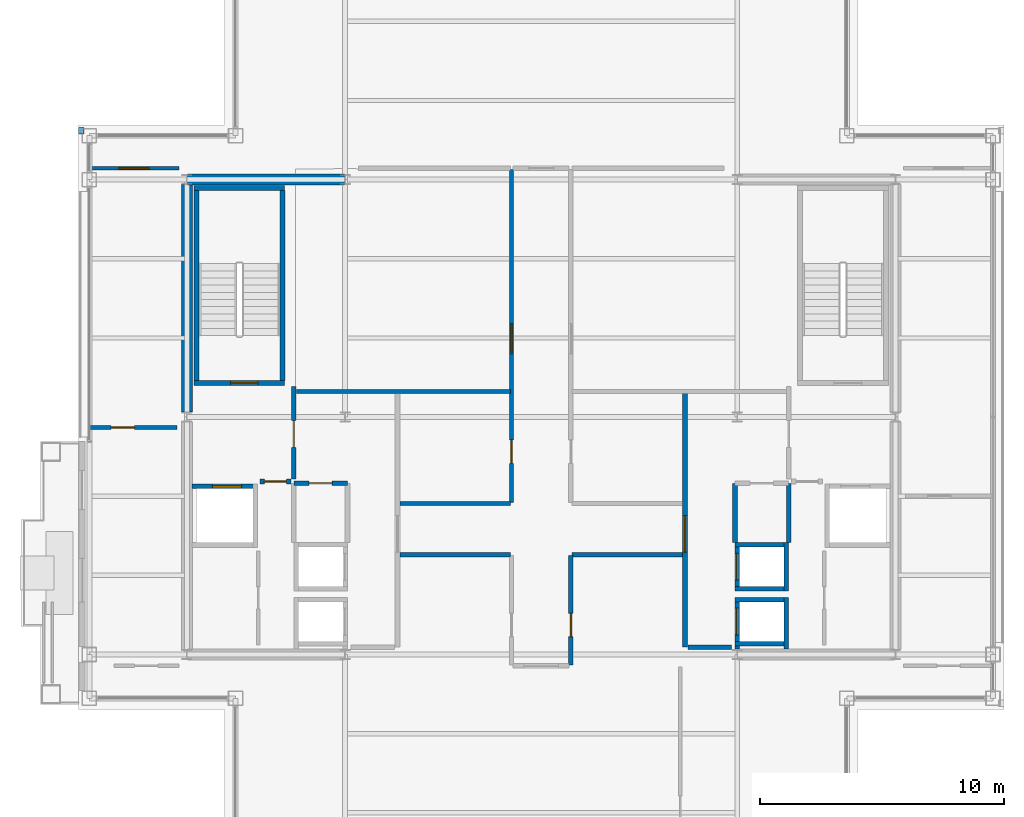
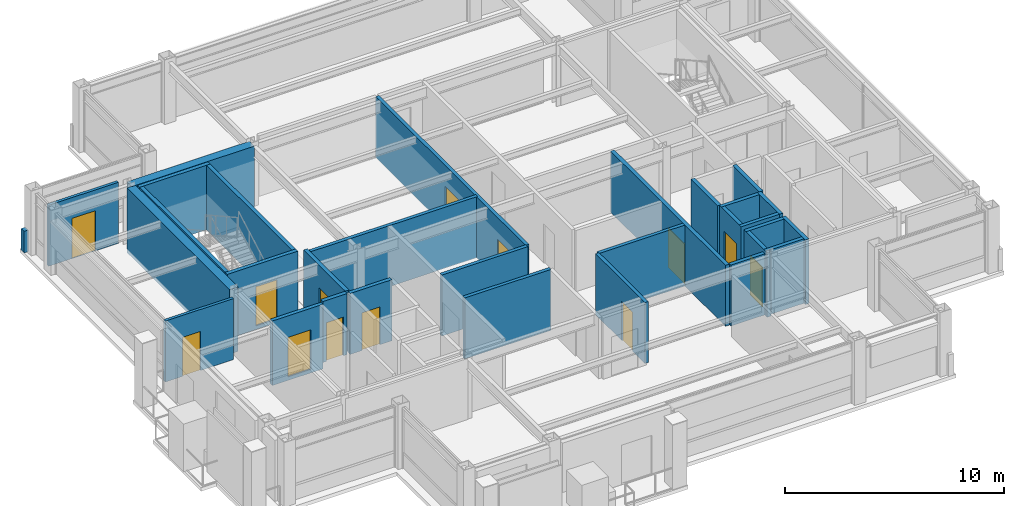
# One storey, part 23 of 27: 31 walls, 13 doors, 13 openings.
"""IFC4 building model written with IfcOpenShell, lengths in metres."""

import ifcopenshell
import ifcopenshell.guid

model = None  # the IFC model being written
_history = None  # IfcOwnerHistory: only IFC2X3 demands one
_inside = {}  # id of a spatial element -> (the spatial element, [elements in it])
_under = {}  # id of a project, library or spatial element -> (it, [spatial elements below it])
_declared = {}  # id of a project -> (the project, [libraries it declares])
_typed = {}  # id of a type object -> (the type object, [elements of that type])
_made_of = {}  # id of a material, layer set ... -> (it, [elements and type objects made of it])


def new_model(schema):
    """Start an empty IFC model of exactly this schema.

    Asked for "IFC4X3", IfcOpenShell would pick the latest addendum, in which some entities
    have other attributes; the version numbers below select the first issue.
    IFC2X3 requires an IfcOwnerHistory on every rooted entity: one is made here for all.
    """
    global model, _history
    if schema == "IFC4X3":
        model = ifcopenshell.file(schema_version=(4, 3, 0, 0))
    else:
        model = ifcopenshell.file(schema=schema)
    _inside.clear()
    _under.clear()
    _declared.clear()
    _typed.clear()
    _made_of.clear()
    _history = None
    if model.schema == "IFC2X3":
        org = make("IfcOrganization", Name="unknown")
        user = make(
            "IfcPersonAndOrganization",
            ThePerson=make("IfcPerson", FamilyName="unknown"),
            TheOrganization=org,
        )
        app = make(
            "IfcApplication",
            ApplicationDeveloper=org,
            Version="unknown",
            ApplicationFullName="unknown",
            ApplicationIdentifier="unknown",
        )
        _history = make(
            "IfcOwnerHistory",
            OwningUser=user,
            OwningApplication=app,
            ChangeAction="ADDED",
            CreationDate=0,
        )
    return model


def make(cls, **values):
    """One entity of the class cls with the attributes given. An attribute that is None is left unset."""
    return model.create_entity(
        cls, **{name: value for name, value in values.items() if value is not None}
    )


def rooted(cls, **values):
    """An entity with a GlobalId (a new one), such as an element, a storey or a relation."""
    return make(cls, GlobalId=ifcopenshell.guid.new(), OwnerHistory=_history, **values)


def si_unit(unit_type, name, prefix=None):
    """IfcSIUnit, for example si_unit("LENGTHUNIT", "METRE", prefix="MILLI")."""
    return make("IfcSIUnit", UnitType=unit_type, Prefix=prefix, Name=name)


def assignment(units):
    """IfcUnitAssignment: the units of a project."""
    return None if units is None else make("IfcUnitAssignment", Units=units)


def point(xyz):
    """IfcCartesianPoint."""
    return None if xyz is None else make("IfcCartesianPoint", Coordinates=xyz)


def direction(xyz):
    """IfcDirection."""
    return None if xyz is None else make("IfcDirection", DirectionRatios=xyz)


def frame(location, z_axis=None, x_axis=None):
    """IfcAxis2Placement3D, a coordinate frame: its origin and axes. An axis left out is left unset."""
    return make(
        "IfcAxis2Placement3D",
        Location=point(location),
        Axis=direction(z_axis),
        RefDirection=direction(x_axis),
    )


def frame_2d(location, x_axis=None):
    """IfcAxis2Placement2D, a coordinate frame in the plane: its origin and x axis."""
    return make(
        "IfcAxis2Placement2D", Location=point(location), RefDirection=direction(x_axis)
    )


def origin():
    """The frame at (0, 0, 0) with its axes left unset."""
    return frame((0.0, 0.0, 0.0))


def place(relative_to, where):
    """IfcLocalPlacement: puts the frame where relative to a parent placement (None: the world)."""
    return make(
        "IfcLocalPlacement", PlacementRelTo=relative_to, RelativePlacement=where
    )


def context(
    kind, dimensions, precision=None, world=None, true_north=None, identifier=None
):
    """IfcGeometricRepresentationContext, for example the 3D "Model" context."""
    return make(
        "IfcGeometricRepresentationContext",
        ContextIdentifier=identifier,
        ContextType=kind,
        CoordinateSpaceDimension=dimensions,
        Precision=precision,
        WorldCoordinateSystem=world,
        TrueNorth=true_north,
    )


def subcontext(parent, identifier, kind, view, scale=None):
    """IfcGeometricRepresentationSubContext, for example "Body" below "Model"."""
    return make(
        "IfcGeometricRepresentationSubContext",
        ContextIdentifier=identifier,
        ContextType=kind,
        ParentContext=parent,
        TargetScale=scale,
        TargetView=view,
    )


def project(units=None, contexts=None):
    """IfcProject with its units and contexts."""
    return rooted(
        "IfcProject",
        Name="project",
        RepresentationContexts=contexts,
        UnitsInContext=assignment(units),
    )


def spatial(cls, under=None, at=None, **own):
    """A site, building, storey or space (cls), placed at a placement, below another one or the project."""
    s = rooted(cls, ObjectPlacement=at, **own)
    if under is not None:
        _under.setdefault(under.id(), (under, []))[1].append(s)
    return s


def profile(cls, at=None, kind="AREA", **sizes):
    """A parametric profile (cls). Its sizes go by their IFC names, for example OverallWidth=200.0."""
    return make(cls, ProfileType=kind, Position=at, **sizes)


def rectangle(**sizes):
    """IfcRectangleProfileDef."""
    return profile("IfcRectangleProfileDef", **sizes)


def extrude(swept, where, along, depth):
    """IfcExtrudedAreaSolid: the profile swept, set in the frame where, extruded along a direction by depth."""
    return make(
        "IfcExtrudedAreaSolid",
        SweptArea=swept,
        Position=where,
        ExtrudedDirection=direction(along),
        Depth=depth,
    )


def shape(context_of_items, identifier, shape_type, items):
    """IfcShapeRepresentation: the items that make up one representation, for example the "Body"."""
    return make(
        "IfcShapeRepresentation",
        ContextOfItems=context_of_items,
        RepresentationIdentifier=identifier,
        RepresentationType=shape_type,
        Items=items,
    )


def material(Name=None, Category=None):
    """IfcMaterial."""
    return make("IfcMaterial", Name=Name, Category=Category)


def layer(
    of_material, thickness, ventilated=None, Name=None, Category=None, Priority=None
):
    """IfcMaterialLayer: one layer of a wall or slab, of a material (None: an air gap)."""
    return make(
        "IfcMaterialLayer",
        Material=of_material,
        LayerThickness=thickness,
        IsVentilated=ventilated,
        Name=Name,
        Category=Category,
        Priority=Priority,
    )


def layer_set(layers, Name=None):
    """IfcMaterialLayerSet."""
    return make("IfcMaterialLayerSet", MaterialLayers=layers, LayerSetName=Name)


def made_of(thing, what):
    """Note that an element or type object is made of a material, layer set ...; save() writes the relation."""
    if what is not None:
        _made_of.setdefault(what.id(), (what, []))[1].append(thing)
    return thing


def type_object(cls, material=None, **own):
    """A type object (cls), such as IfcWallType, which elements share."""
    return made_of(rooted(cls, **own), material)


def element(
    cls,
    number,
    at=None,
    inside=None,
    cuts=None,
    type_object=None,
    material=None,
    context=None,
    identifier="Body",
    shape_type=None,
    held_by="IfcProductDefinitionShape",
    body=None,
    shapes=None,
    **own,
):
    """One element of the class cls, such as IfcWall. Its Tag is "e" and its number.

    at: its placement. inside: the storey or other place that contains it. cuts: it is an
    opening in that element (IfcRelVoidsElement). A single representation is given by context,
    identifier, shape_type and body (its items); several are given by shapes. held_by: the class
    of the entity that holds the representations. save() writes the other relations.
    """
    e = rooted(cls, Tag="e%d" % number, ObjectPlacement=at, **own)
    if body is not None:
        shapes = [shape(context, identifier, shape_type, body)]
    if shapes is not None:
        e.Representation = make(held_by, Representations=shapes)
    if inside is not None:
        _inside.setdefault(inside.id(), (inside, []))[1].append(e)
    if cuts is not None:
        rooted(
            "IfcRelVoidsElement", RelatingBuildingElement=cuts, RelatedOpeningElement=e
        )
    if type_object is not None:
        _typed.setdefault(type_object.id(), (type_object, []))[1].append(e)
    return made_of(e, material)


def fill(opening, filler):
    """IfcRelFillsElement: the door or window that sits in an opening."""
    return rooted(
        "IfcRelFillsElement",
        RelatingOpeningElement=opening,
        RelatedBuildingElement=filler,
    )


def aggregate(whole, parts):
    """IfcRelAggregates: a whole, such as a stair, and the parts it consists of."""
    return rooted("IfcRelAggregates", RelatingObject=whole, RelatedObjects=parts)


def save(model, path):
    """Write the relations noted so far, then the file.

    IfcRelAggregates (storeys below a building ...), IfcRelContainedInSpatialStructure (elements
    in a storey), IfcRelDefinesByType, IfcRelAssociatesMaterial and IfcRelDeclares: one each for
    every whole, place, type object, material and project.
    """
    for whole, parts in _under.values():
        aggregate(whole, parts)
    for where, things in _inside.values():
        rooted(
            "IfcRelContainedInSpatialStructure",
            RelatedElements=things,
            RelatingStructure=where,
        )
    for kind, things in _typed.values():
        rooted("IfcRelDefinesByType", RelatedObjects=things, RelatingType=kind)
    for what, things in _made_of.values():
        rooted("IfcRelAssociatesMaterial", RelatedObjects=things, RelatingMaterial=what)
    for by, libraries in _declared.values():
        rooted("IfcRelDeclares", RelatingContext=by, RelatedDefinitions=libraries)
    model.write(path)


model = new_model("IFC4")

# Units and contexts
model_context = context("Model", 3, precision=1e-05, world=origin(), true_north=direction((0.0, 1.0)))
body_context = subcontext(model_context, "Body", "Model", "MODEL_VIEW")
ifc_project = project(units=[si_unit("LENGTHUNIT", "METRE"), si_unit("AREAUNIT", "SQUARE_METRE"), si_unit("VOLUMEUNIT", "CUBIC_METRE"), si_unit("PLANEANGLEUNIT", "RADIAN"), si_unit("MASSUNIT", "GRAM", prefix="KILO")], contexts=[model_context])

# Site, building, storey
site_placement = place(None, origin())
site = spatial("IfcSite", under=ifc_project, at=site_placement, CompositionType="ELEMENT")
building_placement = place(site_placement, origin())
building = spatial("IfcBuilding", under=site, at=building_placement, Name="Brelmoor Portico Tower", CompositionType="ELEMENT")
storey_placement = place(building_placement, frame((0.0, 0.0, 250.800048828125)))
storey = spatial("IfcBuildingStorey", under=building, at=storey_placement, Name="L66", CompositionType="ELEMENT", Elevation=250.800048828125)

# Walls
ifc_material_1 = material(Name="Concrete C50", Category="concrete")
ifc_layer_1 = layer(ifc_material_1, 0.449951171875)
ifc_layer_set_1 = layer_set([ifc_layer_1], Name="Concrete C50")
wall_type_1 = type_object("IfcWallType", Name="WL-CORE-450", PredefinedType="SHEAR", material=ifc_layer_set_1)
wall_1_placement = place(storey_placement, frame((-14.530029296875, 9.75, -0.199951171875), z_axis=(0.0, 0.0, 1.0), x_axis=(1.0, 0.0, 0.0)))
element("IfcWall", 1, at=wall_1_placement, inside=storey, type_object=wall_type_1, Name="L66 WC North Shear Wall", PredefinedType="SHEAR", context=body_context, shape_type="SweptSolid", body=[
    extrude(rectangle(XDim=6.4599609375, YDim=0.449951171875, at=frame_2d((3.22998046875, 0.0))), origin(), (0.0, 0.0, 1.0), 3.599853515625),
])
wall_2_placement = place(storey_placement, frame((-14.550048828125, 0.199951171875, -0.199951171875), z_axis=(0.0, 0.0, 1.0), x_axis=(0.0, 1.0, 0.0)))
element("IfcWall", 2, at=wall_2_placement, inside=storey, type_object=wall_type_1, Name="L66 WC Outer North Shear Wall", PredefinedType="SHEAR", context=body_context, shape_type="SweptSolid", body=[
    extrude(rectangle(XDim=9.35009765625, YDim=0.449951171875, at=frame_2d((4.675048828125, 0.0))), origin(), (0.0, 0.0, 1.0), 3.599853515625),
])
ifc_material_2 = material(Name="Concrete C40 Parapet Upstand", Category="concrete")
ifc_layer_2 = layer(ifc_material_2, 0.219970703125)
ifc_layer_set_2 = layer_set([ifc_layer_2], Name="Concrete C40 Parapet Upstand")
wall_type_2 = type_object("IfcWallType", Name="WL-PARAPET-220", PredefinedType="PARAPET", material=ifc_layer_set_2)
wall_3_placement = place(storey_placement, frame((-18.889892578125, 11.6201171875, 0.0), z_axis=(0.0, 0.0, 1.0), x_axis=(0.0, 1.0, 0.0)))
element("IfcWall", 3, at=wall_3_placement, inside=storey, type_object=wall_type_2, Name="L66 Chamfer Vertex Parapet Pier NW2", PredefinedType="PARAPET", context=body_context, shape_type="SweptSolid", body=[
    extrude(rectangle(XDim=0.269775390625, YDim=0.219970703125, at=frame_2d((0.134765625, 0.0))), origin(), (0.0, 0.0, 1.0), 1.199951171875),
])

# Wall, opening, door
ifc_material_3 = material(Name="Wet-Area Moisture-Resistant Partition", Category="gypsum")
ifc_layer_3 = layer(ifc_material_3, 0.14990234375)
ifc_layer_set_3 = layer_set([ifc_layer_3], Name="Wet-Area Moisture-Resistant Partition")
wall_type_3 = type_object("IfcWallType", Name="WL-PART-150", PredefinedType="PARTITIONING", material=ifc_layer_set_3)
wall_4_placement = place(storey_placement, frame((-18.56005859375, 10.2099609375, 0.0), z_axis=(0.0, 0.0, 1.0), x_axis=(1.0, 0.0, 0.0)))
wall_4 = element("IfcWall", 4, at=wall_4_placement, inside=storey, type_object=wall_type_3, Name="L66 North Wing Suite Wall WL", PredefinedType="PARTITIONING", context=body_context, shape_type="SweptSolid", body=[
    extrude(rectangle(XDim=3.68017578125, YDim=0.14990234375, at=frame_2d((1.840087890625, 0.0))), origin(), (0.0, 0.0, 1.0), 3.39990234375),
])
opening_1_placement = place(wall_4_placement, frame((1.219970703125, 0.0, 0.0)))
opening_1 = element("IfcOpeningElement", 5, at=opening_1_placement, cuts=wall_4, Name="Opening D-SU1", PredefinedType="OPENING", context=body_context, shape_type="SweptSolid", body=[
    extrude(rectangle(XDim=1.239990234375, YDim=2.239990234375, at=frame_2d((0.6201171875, 1.1201171875))), frame((0.0, 0.0849609375, 0.0), z_axis=(0.0, -1.0, 0.0), x_axis=(1.0, 0.0, 0.0)), (0.0, 0.0, 1.0), 0.169921875),
])
ifc_material_4 = material(Name="Glazed Timber Executive Suite Door", Category="wood")
door_type_1 = type_object("IfcDoorType", Name="DR-SUITE-1200", OperationType="NOTDEFINED", PredefinedType="DOOR", material=ifc_material_4)
door_1_placement = place(opening_1_placement, origin())
door_1 = element("IfcDoor", 6, at=door_1_placement, inside=storey, type_object=door_type_1, Name="D-2729 L66 WL Wing Suite Connecting Door", OperationType="SINGLE_SWING_RIGHT", OverallHeight=2.239990234375, OverallWidth=1.239990234375, PredefinedType="DOOR", context=body_context, shape_type="SweptSolid", body=[
    extrude(rectangle(XDim=1.239990234375, YDim=2.239990234375, at=frame_2d((0.6201171875, 1.1201171875))), frame((0.0, 0.02490234375, 0.0), z_axis=(0.0, -1.0, 0.0), x_axis=(1.0, 0.0, 0.0)), (0.0, 0.0, 1.0), 0.050048828125),
])
fill(opening_1, door_1)

wall_5_placement = place(storey_placement, frame((-18.56005859375, -0.429931640625, 0.0), z_axis=(0.0, 0.0, 1.0), x_axis=(1.0, 0.0, 0.0)))
wall_5 = element("IfcWall", 7, at=wall_5_placement, inside=storey, type_object=wall_type_3, Name="L66 W Wing Partition 1", PredefinedType="PARTITIONING", context=body_context, shape_type="SweptSolid", body=[
    extrude(rectangle(XDim=3.60009765625, YDim=0.14990234375, at=frame_2d((1.800048828125, 0.0))), origin(), (0.0, 0.0, 1.0), 3.39990234375),
])
opening_2_placement = place(wall_5_placement, frame((0.89990234375, 0.0, 0.0)))
opening_2 = element("IfcOpeningElement", 8, at=opening_2_placement, cuts=wall_5, Name="Opening D-IN2", PredefinedType="OPENING", context=body_context, shape_type="SweptSolid", body=[
    extrude(rectangle(XDim=0.9599609375, YDim=2.179931640625, at=frame_2d((0.47998046875, 1.08984375))), frame((0.0, 0.0849609375, 0.0), z_axis=(0.0, -1.0, 0.0), x_axis=(1.0, 0.0, 0.0)), (0.0, 0.0, 1.0), 0.169921875),
])
ifc_material_5 = material(Name="Lacquered Timber Suite Door", Category="wood")
door_type_2 = type_object("IfcDoorType", Name="DR-INT-950", OperationType="NOTDEFINED", PredefinedType="DOOR", material=ifc_material_5)
door_2_placement = place(opening_2_placement, origin())
door_2 = element("IfcDoor", 9, at=door_2_placement, inside=storey, type_object=door_type_2, Name="D-2739 L66 W Wing Suite Connecting Door 1", OperationType="SINGLE_SWING_LEFT", OverallHeight=2.179931640625, OverallWidth=0.9599609375, PredefinedType="DOOR", context=body_context, shape_type="SweptSolid", body=[
    extrude(rectangle(XDim=0.9599609375, YDim=2.179931640625, at=frame_2d((0.47998046875, 1.08984375))), frame((0.0, 0.02490234375, 0.0), z_axis=(0.0, -1.0, 0.0), x_axis=(1.0, 0.0, 0.0)), (0.0, 0.0, 1.0), 0.050048828125),
])
fill(opening_2, door_2)

# Wall
ifc_material_6 = material(Name="Acoustic Corridor Fire Partition", Category="gypsum")
ifc_layer_4 = layer(ifc_material_6, 0.179931640625)
ifc_layer_set_4 = layer_set([ifc_layer_4], Name="Acoustic Corridor Fire Partition")
wall_type_4 = type_object("IfcWallType", Name="WL-PART-180", PredefinedType="PARTITIONING", material=ifc_layer_set_4)
wall_6_placement = place(storey_placement, frame((-10.050048828125, 1.050048828125, 0.0), z_axis=(0.0, 0.0, 1.0), x_axis=(1.0, 0.0, 0.0)))
element("IfcWall", 10, at=wall_6_placement, inside=storey, type_object=wall_type_4, Name="L66 West Reclaimed Suite South Wall", PredefinedType="PARTITIONING", context=body_context, shape_type="SweptSolid", body=[
    extrude(rectangle(XDim=8.7900390625, YDim=0.179931640625, at=frame_2d((4.39501953125, 0.0))), origin(), (0.0, 0.0, 1.0), 3.39990234375),
])

# Wall, openings, doors
wall_7_placement = place(storey_placement, frame((-1.219970703125, -3.5, 0.0), z_axis=(0.0, 0.0, 1.0), x_axis=(0.0, 1.0, 0.0)))
wall_7 = element("IfcWall", 11, at=wall_7_placement, inside=storey, type_object=wall_type_4, Name="L66 Central Cross West Wall", PredefinedType="PARTITIONING", context=body_context, shape_type="SweptSolid", body=[
    extrude(rectangle(XDim=13.669921875, YDim=0.179931640625, at=frame_2d((6.8349609375, 0.0))), origin(), (0.0, 0.0, 1.0), 3.39990234375),
])
opening_3_placement = place(wall_7_placement, frame((6.10009765625, 0.0, 0.0)))
opening_3 = element("IfcOpeningElement", 12, at=opening_3_placement, cuts=wall_7, Name="Opening D-SU1", PredefinedType="OPENING", context=body_context, shape_type="SweptSolid", body=[
    extrude(rectangle(XDim=1.239990234375, YDim=2.239990234375, at=frame_2d((0.6201171875, 1.1201171875))), frame((0.0, 0.099853515625, 0.0), z_axis=(0.0, -1.0, 0.0), x_axis=(1.0, 0.0, 0.0)), (0.0, 0.0, 1.0), 0.199951171875),
])
opening_4_placement = place(wall_7_placement, frame((1.60009765625, 0.0, 0.0)))
opening_4 = element("IfcOpeningElement", 13, at=opening_4_placement, cuts=wall_7, Name="Opening D-IN2", PredefinedType="OPENING", context=body_context, shape_type="SweptSolid", body=[
    extrude(rectangle(XDim=0.9599609375, YDim=2.179931640625, at=frame_2d((0.47998046875, 1.08984375))), frame((0.0, 0.099853515625, 0.0), z_axis=(0.0, -1.0, 0.0), x_axis=(1.0, 0.0, 0.0)), (0.0, 0.0, 1.0), 0.199951171875),
])
door_3_placement = place(opening_4_placement, origin())
door_3 = element("IfcDoor", 14, at=door_3_placement, inside=storey, type_object=door_type_2, Name="D-2715 L66 Staff Pantry Door", OperationType="SINGLE_SWING_RIGHT", OverallHeight=2.179931640625, OverallWidth=0.9599609375, PredefinedType="DOOR", context=body_context, shape_type="SweptSolid", body=[
    extrude(rectangle(XDim=0.9599609375, YDim=2.179931640625, at=frame_2d((0.47998046875, 1.08984375))), frame((0.0, 0.02490234375, 0.0), z_axis=(0.0, -1.0, 0.0), x_axis=(1.0, 0.0, 0.0)), (0.0, 0.0, 1.0), 0.050048828125),
])
fill(opening_4, door_3)
door_4_placement = place(opening_3_placement, origin())
door_4 = element("IfcDoor", 15, at=door_4_placement, inside=storey, type_object=door_type_1, Name="D-2716 L66 West Reclaimed Studio Door", OperationType="SINGLE_SWING_LEFT", OverallHeight=2.239990234375, OverallWidth=1.239990234375, PredefinedType="DOOR", context=body_context, shape_type="SweptSolid", body=[
    extrude(rectangle(XDim=1.239990234375, YDim=2.239990234375, at=frame_2d((0.6201171875, 1.1201171875))), frame((0.0, 0.02490234375, 0.0), z_axis=(0.0, -1.0, 0.0), x_axis=(1.0, 0.0, 0.0)), (0.0, 0.0, 1.0), 0.050048828125),
])
fill(opening_3, door_4)

# Wall
wall_8_placement = place(storey_placement, frame((-5.800048828125, -3.550048828125, 0.0), z_axis=(0.0, 0.0, 1.0), x_axis=(1.0, 0.0, 0.0)))
element("IfcWall", 16, at=wall_8_placement, inside=storey, type_object=wall_type_4, Name="L66 West Pantry South Wall", PredefinedType="PARTITIONING", context=body_context, shape_type="SweptSolid", body=[
    extrude(rectangle(XDim=4.5400390625, YDim=0.179931640625, at=frame_2d((2.27001953125, 0.0))), origin(), (0.0, 0.0, 1.0), 3.39990234375),
])

# Wall, opening, door
wall_9_placement = place(storey_placement, frame((1.219970703125, -10.169921875, 0.0), z_axis=(0.0, 0.0, 1.0), x_axis=(0.0, 1.0, 0.0)))
wall_9 = element("IfcWall", 17, at=wall_9_placement, inside=storey, type_object=wall_type_4, Name="L66 South Cross East Wall", PredefinedType="PARTITIONING", context=body_context, shape_type="SweptSolid", body=[
    extrude(rectangle(XDim=4.489990234375, YDim=0.179931640625, at=frame_2d((2.2451171875, 0.0))), origin(), (0.0, 0.0, 1.0), 3.39990234375),
])
opening_5_placement = place(wall_9_placement, frame((1.14990234375, 0.0, 0.0)))
opening_5 = element("IfcOpeningElement", 18, at=opening_5_placement, cuts=wall_9, Name="Opening D-IN2", PredefinedType="OPENING", context=body_context, shape_type="SweptSolid", body=[
    extrude(rectangle(XDim=0.9599609375, YDim=2.179931640625, at=frame_2d((0.47998046875, 1.08984375))), frame((0.0, 0.099853515625, 0.0), z_axis=(0.0, -1.0, 0.0), x_axis=(1.0, 0.0, 0.0)), (0.0, 0.0, 1.0), 0.199951171875),
])
door_5_placement = place(opening_5_placement, origin())
door_5 = element("IfcDoor", 19, at=door_5_placement, inside=storey, type_object=door_type_2, Name="D-2713 L66 South-East Partner Office Door", OperationType="SINGLE_SWING_RIGHT", OverallHeight=2.179931640625, OverallWidth=0.9599609375, PredefinedType="DOOR", context=body_context, shape_type="SweptSolid", body=[
    extrude(rectangle(XDim=0.9599609375, YDim=2.179931640625, at=frame_2d((0.47998046875, 1.08984375))), frame((0.0, 0.02490234375, 0.0), z_axis=(0.0, -1.0, 0.0), x_axis=(1.0, 0.0, 0.0)), (0.0, 0.0, 1.0), 0.050048828125),
])
fill(opening_5, door_5)

# Walls
for number, where, z_axis, x_axis, name in (
    (20, (-5.800048828125, -5.64990234375, 0.0), (0.0, 0.0, 1.0), (1.0, 0.0, 0.0), "L66 South-West Chamber Top Wall"),
    (21, (1.260009765625, -5.64990234375, 0.0), (0.0, 0.0, 1.0), (1.0, 0.0, 0.0), "L66 South-East Chamber Top Wall"),
):
    element("IfcWall", number, at=place(storey_placement, frame(where, z_axis=z_axis, x_axis=x_axis)), inside=storey, type_object=wall_type_4, Name=name, PredefinedType="PARTITIONING", context=body_context, shape_type="SweptSolid", body=[
        extrude(rectangle(XDim=4.5400390625, YDim=0.179931640625, at=frame_2d((2.27001953125, 0.0))), origin(), (0.0, 0.0, 1.0), 3.39990234375),
    ])

# Wall, opening, door
ifc_material_7 = material(Name="Double-Stud Gypsum Fire Partition", Category="gypsum")
ifc_layer_5 = layer(ifc_material_7, 0.199951171875)
ifc_layer_set_5 = layer_set([ifc_layer_5], Name="Double-Stud Gypsum Fire Partition")
wall_type_5 = type_object("IfcWallType", Name="WL-PART-200", PredefinedType="PARTITIONING", material=ifc_layer_set_5)
wall_10_placement = place(storey_placement, frame((-10.159912109375, -2.550048828125, 0.0), z_axis=(0.0, 0.0, 1.0), x_axis=(0.0, 1.0, 0.0)))
wall_10 = element("IfcWall", 22, at=wall_10_placement, inside=storey, type_object=wall_type_5, Name="L66 W Firefighting Lobby Wall", PredefinedType="PARTITIONING", context=body_context, shape_type="SweptSolid", body=[
    extrude(rectangle(XDim=3.800048828125, YDim=0.199951171875, at=frame_2d((1.89990234375, 0.0))), origin(), (0.0, 0.0, 1.0), 3.39990234375),
])
opening_6_placement = place(wall_10_placement, frame((1.300048828125, 0.0, 0.0)))
opening_6 = element("IfcOpeningElement", 23, at=opening_6_placement, cuts=wall_10, Name="Opening D-FR1", PredefinedType="OPENING", context=body_context, shape_type="SweptSolid", body=[
    extrude(rectangle(XDim=1.10009765625, YDim=2.14990234375, at=frame_2d((0.550048828125, 1.074951171875))), frame((0.0, 0.10986328125, 0.0), z_axis=(0.0, -1.0, 0.0), x_axis=(1.0, 0.0, 0.0)), (0.0, 0.0, 1.0), 0.219970703125),
])
ifc_material_8 = material(Name="Painted Galvanised Steel Fire Door", Category="steel")
door_type_3 = type_object("IfcDoorType", Name="DR-FIRE-1100", OperationType="NOTDEFINED", PredefinedType="DOOR", material=ifc_material_8)
door_6_placement = place(opening_6_placement, origin())
door_6 = element("IfcDoor", 24, at=door_6_placement, inside=storey, type_object=door_type_3, Name="D-2724 L66 W Firefighting Lobby Door", OperationType="SINGLE_SWING_LEFT", OverallHeight=2.14990234375, OverallWidth=1.10009765625, PredefinedType="DOOR", context=body_context, shape_type="SweptSolid", body=[
    extrude(rectangle(XDim=1.10009765625, YDim=2.14990234375, at=frame_2d((0.550048828125, 1.074951171875))), frame((0.0, 0.02490234375, 0.0), z_axis=(0.0, -1.0, 0.0), x_axis=(1.0, 0.0, 0.0)), (0.0, 0.0, 1.0), 0.050048828125),
])
fill(opening_6, door_6)

wall_11_placement = place(storey_placement, frame((-10.280029296875, -2.64990234375, 0.0), z_axis=(0.0, 0.0, 1.0), x_axis=(-1.0, 0.0, 0.0)))
wall_11 = element("IfcWall", 25, at=wall_11_placement, inside=storey, type_object=wall_type_5, Name="L66 W Firefighting Lobby South Wall", PredefinedType="PARTITIONING", context=body_context, shape_type="SweptSolid", body=[
    extrude(rectangle(XDim=1.27001953125, YDim=0.199951171875, at=frame_2d((0.635009765625, 0.0))), origin(), (0.0, 0.0, 1.0), 3.39990234375),
])
opening_7_placement = place(wall_11_placement, frame((0.18505859375, 0.0, 0.0)))
opening_7 = element("IfcOpeningElement", 26, at=opening_7_placement, cuts=wall_11, Name="Opening D-IN1", PredefinedType="OPENING", context=body_context, shape_type="SweptSolid", body=[
    extrude(rectangle(XDim=0.89990234375, YDim=2.14990234375, at=frame_2d((0.449951171875, 1.074951171875))), frame((0.0, 0.10986328125, 0.0), z_axis=(0.0, -1.0, 0.0), x_axis=(1.0, 0.0, 0.0)), (0.0, 0.0, 1.0), 0.219970703125),
])
door_type_4 = type_object("IfcDoorType", Name="DR-INT-900", OperationType="NOTDEFINED", PredefinedType="DOOR", material=ifc_material_5)
door_7_placement = place(opening_7_placement, origin())
door_7 = element("IfcDoor", 27, at=door_7_placement, inside=storey, type_object=door_type_4, Name="D-2719 L66 W Core Service Vestibule Door", OperationType="SINGLE_SWING_RIGHT", OverallHeight=2.14990234375, OverallWidth=0.89990234375, PredefinedType="DOOR", context=body_context, shape_type="SweptSolid", body=[
    extrude(rectangle(XDim=0.89990234375, YDim=2.14990234375, at=frame_2d((0.449951171875, 1.074951171875))), frame((0.0, 0.02490234375, 0.0), z_axis=(0.0, -1.0, 0.0), x_axis=(1.0, 0.0, 0.0)), (0.0, 0.0, 1.0), 0.050048828125),
])
fill(opening_7, door_7)

wall_12_placement = place(storey_placement, frame((-7.9599609375, -2.719970703125, 0.0), z_axis=(0.0, 0.0, 1.0), x_axis=(-1.0, 0.0, 0.0)))
wall_12 = element("IfcWall", 28, at=wall_12_placement, inside=storey, type_object=wall_type_5, Name="L66 W Electrical Switchgear Closet Wall", PredefinedType="PARTITIONING", context=body_context, shape_type="SweptSolid", body=[
    extrude(rectangle(XDim=2.199951171875, YDim=0.199951171875, at=frame_2d((1.10009765625, 0.0))), origin(), (0.0, 0.0, 1.0), 3.39990234375),
])
opening_8_placement = place(wall_12_placement, frame((0.6201171875, 0.0, 0.0)))
opening_8 = element("IfcOpeningElement", 29, at=opening_8_placement, cuts=wall_12, Name="Opening D-FR4", PredefinedType="OPENING", context=body_context, shape_type="SweptSolid", body=[
    extrude(rectangle(XDim=0.949951171875, YDim=2.10009765625, at=frame_2d((0.47509765625, 1.050048828125))), frame((0.0, 0.10986328125, 0.0), z_axis=(0.0, -1.0, 0.0), x_axis=(1.0, 0.0, 0.0)), (0.0, 0.0, 1.0), 0.219970703125),
])
ifc_material_9 = material(Name="Painted Galvanised Steel Riser Door", Category="steel")
door_type_5 = type_object("IfcDoorType", Name="DR-FIRE-950", OperationType="NOTDEFINED", PredefinedType="DOOR", material=ifc_material_9)
door_8_placement = place(opening_8_placement, origin())
door_8 = element("IfcDoor", 30, at=door_8_placement, inside=storey, type_object=door_type_5, Name="D-2722 L66 W Electrical Switchgear Closet Door", OperationType="SINGLE_SWING_LEFT", OverallHeight=2.10009765625, OverallWidth=0.949951171875, PredefinedType="DOOR", context=body_context, shape_type="SweptSolid", body=[
    extrude(rectangle(XDim=0.949951171875, YDim=2.10009765625, at=frame_2d((0.47509765625, 1.050048828125))), frame((0.0, 0.02490234375, 0.0), z_axis=(0.0, -1.0, 0.0), x_axis=(1.0, 0.0, 0.0)), (0.0, 0.0, 1.0), 0.050048828125),
])
fill(opening_8, door_8)

wall_13_placement = place(storey_placement, frame((5.89990234375, -9.449951171875, 0.0), z_axis=(0.0, 0.0, 1.0), x_axis=(0.0, 1.0, 0.0)))
wall_13 = element("IfcWall", 31, at=wall_13_placement, inside=storey, type_object=wall_type_5, Name="L66 E Core Lobby Compartment Wall", PredefinedType="PARTITIONING", context=body_context, shape_type="SweptSolid", body=[
    extrude(rectangle(XDim=10.5, YDim=0.199951171875, at=frame_2d((5.25, 0.0))), origin(), (0.0, 0.0, 1.0), 3.39990234375),
])
opening_9_placement = place(wall_13_placement, frame((3.89990234375, 0.0, 0.0)))
opening_9 = element("IfcOpeningElement", 32, at=opening_9_placement, cuts=wall_13, Name="Opening D-LB1", PredefinedType="OPENING", context=body_context, shape_type="SweptSolid", body=[
    extrude(rectangle(XDim=1.5, YDim=2.199951171875, at=frame_2d((0.75, 1.10009765625))), frame((0.0, 0.10986328125, 0.0), z_axis=(0.0, -1.0, 0.0), x_axis=(1.0, 0.0, 0.0)), (0.0, 0.0, 1.0), 0.219970703125),
])
ifc_material_10 = material(Name="Double-Leaf Glazed Steel Fire Door", Category="steel")
door_type_6 = type_object("IfcDoorType", Name="DR-LOBBY-1500", OperationType="NOTDEFINED", PredefinedType="DOOR", material=ifc_material_10)
door_9_placement = place(opening_9_placement, origin())
door_9 = element("IfcDoor", 33, at=door_9_placement, inside=storey, type_object=door_type_6, Name="D-2725 L66 E Lift Lobby Main Door", OperationType="DOUBLE_DOOR_SINGLE_SWING", OverallHeight=2.199951171875, OverallWidth=1.5, PredefinedType="DOOR", context=body_context, shape_type="SweptSolid", body=[
    extrude(rectangle(XDim=1.5, YDim=2.199951171875, at=frame_2d((0.75, 1.10009765625))), frame((0.0, 0.02490234375, 0.0), z_axis=(0.0, -1.0, 0.0), x_axis=(1.0, 0.0, 0.0)), (0.0, 0.0, 1.0), 0.050048828125),
])
fill(opening_9, door_9)

# Walls
wall_14_placement = place(storey_placement, frame((6.02001953125, -9.449951171875, 0.0), z_axis=(0.0, 0.0, 1.0), x_axis=(1.0, 0.0, 0.0)))
element("IfcWall", 34, at=wall_14_placement, inside=storey, type_object=wall_type_5, Name="L66 E Lift Lobby South End Wall", PredefinedType="PARTITIONING", context=body_context, shape_type="SweptSolid", body=[
    extrude(rectangle(XDim=1.800048828125, YDim=0.199951171875, at=frame_2d((0.89990234375, 0.0))), origin(), (0.0, 0.0, 1.0), 3.39990234375),
])
for number, where, z_axis, x_axis, name in (
    (35, (7.9599609375, -5.159912109375, 0.0), (0.0, 0.0, 1.0), (0.0, 1.0, 0.0), "L66 E Electrical Switchgear Closet Inner Wall"),
    (36, (10.159912109375, -5.159912109375, 0.0), (0.0, 0.0, 1.0), (0.0, 1.0, 0.0), "L66 E Electrical Switchgear Closet Outer Wall"),
):
    element("IfcWall", number, at=place(storey_placement, frame(where, z_axis=z_axis, x_axis=x_axis)), inside=storey, type_object=wall_type_5, Name=name, PredefinedType="PARTITIONING", context=body_context, shape_type="SweptSolid", body=[
        extrude(rectangle(XDim=2.43994140625, YDim=0.199951171875, at=frame_2d((1.219970703125, 0.0))), origin(), (0.0, 0.0, 1.0), 3.39990234375),
    ])

# Wall, opening, door
ifc_material_11 = material(Name="Precast Concrete C40", Category="concrete")
ifc_layer_6 = layer(ifc_material_11, 0.18994140625)
ifc_layer_set_6 = layer_set([ifc_layer_6], Name="Precast Concrete C40")
wall_type_6 = type_object("IfcWallType", Name="WL-SHAFT-180", PredefinedType="SOLIDWALL", material=ifc_layer_set_6)
wall_15_placement = place(storey_placement, frame((8.044921875, -9.52001953125, -0.199951171875), z_axis=(0.0, 0.0, 1.0), x_axis=(0.0, 1.0, 0.0)))
wall_15 = element("IfcWall", 37, at=wall_15_placement, inside=storey, type_object=wall_type_6, Name="L66 Lift PH3 Hoistway Front Wall", PredefinedType="SOLIDWALL", context=body_context, shape_type="SweptSolid", body=[
    extrude(rectangle(XDim=2.1201171875, YDim=0.18994140625, at=frame_2d((1.06005859375, 0.0))), origin(), (0.0, 0.0, 1.0), 3.599853515625),
])
opening_10_placement = place(wall_15_placement, frame((0.570068359375, 0.0, 0.199951171875)))
opening_10 = element("IfcOpeningElement", 38, at=opening_10_placement, cuts=wall_15, Name="Opening LD-01", PredefinedType="OPENING", context=body_context, shape_type="SweptSolid", body=[
    extrude(rectangle(XDim=1.10009765625, YDim=2.199951171875, at=frame_2d((0.550048828125, 1.10009765625))), frame((0.0, 0.10498046875, 0.0), z_axis=(0.0, -1.0, 0.0), x_axis=(1.0, 0.0, 0.0)), (0.0, 0.0, 1.0), 0.2099609375),
])
ifc_material_12 = material(Name="Brushed Stainless Steel Sliding Lift Door", Category="steel")
door_type_7 = type_object("IfcDoorType", Name="DR-LIFT-1100", OperationType="NOTDEFINED", PredefinedType="DOOR", material=ifc_material_12)
door_10_placement = place(opening_10_placement, origin())
door_10 = element("IfcDoor", 39, at=door_10_placement, inside=storey, type_object=door_type_7, Name="D-2744 L66 Lift PH3 Sliding Landing Door", OperationType="SLIDING_TO_LEFT", OverallHeight=2.199951171875, OverallWidth=1.10009765625, PredefinedType="DOOR", context=body_context, shape_type="SweptSolid", body=[
    extrude(rectangle(XDim=1.10009765625, YDim=2.199951171875, at=frame_2d((0.550048828125, 1.10009765625))), frame((0.0, 0.02490234375, 0.0), z_axis=(0.0, -1.0, 0.0), x_axis=(1.0, 0.0, 0.0)), (0.0, 0.0, 1.0), 0.050048828125),
])
fill(opening_10, door_10)

# Walls
wall_16_placement = place(storey_placement, frame((10.054931640625, -9.52001953125, -0.199951171875), z_axis=(0.0, 0.0, 1.0), x_axis=(0.0, 1.0, 0.0)))
element("IfcWall", 40, at=wall_16_placement, inside=storey, type_object=wall_type_6, Name="L66 Lift PH3 Hoistway Back Wall", PredefinedType="SOLIDWALL", context=body_context, shape_type="SweptSolid", body=[
    extrude(rectangle(XDim=2.1201171875, YDim=0.18994140625, at=frame_2d((1.06005859375, 0.0))), origin(), (0.0, 0.0, 1.0), 3.599853515625),
])
for number, where, z_axis, x_axis, name in (
    (41, (7.949951171875, -7.4951171875, -0.199951171875), (0.0, 0.0, 1.0), (1.0, 0.0, 0.0), "L66 Lift PH3 Hoistway North Wall"),
    (42, (7.949951171875, -9.304931640625, -0.199951171875), (0.0, 0.0, 1.0), (1.0, 0.0, 0.0), "L66 Lift PH3 Hoistway South Wall"),
):
    element("IfcWall", number, at=place(storey_placement, frame(where, z_axis=z_axis, x_axis=x_axis)), inside=storey, type_object=wall_type_6, Name=name, PredefinedType="SOLIDWALL", context=body_context, shape_type="SweptSolid", body=[
        extrude(rectangle(XDim=2.199951171875, YDim=0.18994140625, at=frame_2d((1.10009765625, 0.0))), origin(), (0.0, 0.0, 1.0), 3.599853515625),
    ])

# Wall, opening, door
wall_17_placement = place(storey_placement, frame((8.044921875, -7.14990234375, -0.199951171875), z_axis=(0.0, 0.0, 1.0), x_axis=(0.0, 1.0, 0.0)))
wall_17 = element("IfcWall", 43, at=wall_17_placement, inside=storey, type_object=wall_type_6, Name="L66 Lift PH4 Hoistway Front Wall", PredefinedType="SOLIDWALL", context=body_context, shape_type="SweptSolid", body=[
    extrude(rectangle(XDim=2.0, YDim=0.18994140625, at=frame_2d((1.0, 0.0))), origin(), (0.0, 0.0, 1.0), 3.599853515625),
])
opening_11_placement = place(wall_17_placement, frame((0.449951171875, 0.0, 0.199951171875)))
opening_11 = element("IfcOpeningElement", 44, at=opening_11_placement, cuts=wall_17, Name="Opening LD-01", PredefinedType="OPENING", context=body_context, shape_type="SweptSolid", body=[
    extrude(rectangle(XDim=1.10009765625, YDim=2.199951171875, at=frame_2d((0.550048828125, 1.10009765625))), frame((0.0, 0.10498046875, 0.0), z_axis=(0.0, -1.0, 0.0), x_axis=(1.0, 0.0, 0.0)), (0.0, 0.0, 1.0), 0.2099609375),
])
door_11_placement = place(opening_11_placement, origin())
door_11 = element("IfcDoor", 45, at=door_11_placement, inside=storey, type_object=door_type_7, Name="D-2745 L66 Lift PH4 Sliding Landing Door", OperationType="SLIDING_TO_LEFT", OverallHeight=2.199951171875, OverallWidth=1.10009765625, PredefinedType="DOOR", context=body_context, shape_type="SweptSolid", body=[
    extrude(rectangle(XDim=1.10009765625, YDim=2.199951171875, at=frame_2d((0.550048828125, 1.10009765625))), frame((0.0, 0.02490234375, 0.0), z_axis=(0.0, -1.0, 0.0), x_axis=(1.0, 0.0, 0.0)), (0.0, 0.0, 1.0), 0.050048828125),
])
fill(opening_11, door_11)

# Walls
wall_18_placement = place(storey_placement, frame((10.054931640625, -7.14990234375, -0.199951171875), z_axis=(0.0, 0.0, 1.0), x_axis=(0.0, 1.0, 0.0)))
element("IfcWall", 46, at=wall_18_placement, inside=storey, type_object=wall_type_6, Name="L66 Lift PH4 Hoistway Back Wall", PredefinedType="SOLIDWALL", context=body_context, shape_type="SweptSolid", body=[
    extrude(rectangle(XDim=2.0, YDim=0.18994140625, at=frame_2d((1.0, 0.0))), origin(), (0.0, 0.0, 1.0), 3.599853515625),
])
for number, where, z_axis, x_axis, name in (
    (47, (7.949951171875, -5.2451171875, -0.199951171875), (0.0, 0.0, 1.0), (1.0, 0.0, 0.0), "L66 Lift PH4 Hoistway North Wall"),
    (48, (7.949951171875, -7.054931640625, -0.199951171875), (0.0, 0.0, 1.0), (1.0, 0.0, 0.0), "L66 Lift PH4 Hoistway South Wall"),
):
    element("IfcWall", number, at=place(storey_placement, frame(where, z_axis=z_axis, x_axis=x_axis)), inside=storey, type_object=wall_type_6, Name=name, PredefinedType="SOLIDWALL", context=body_context, shape_type="SweptSolid", body=[
        extrude(rectangle(XDim=2.199951171875, YDim=0.18994140625, at=frame_2d((1.10009765625, 0.0))), origin(), (0.0, 0.0, 1.0), 3.599853515625),
    ])

# Wall, opening, door
wall_19_placement = place(storey_placement, frame((-14.330078125, -2.844970703125, -0.199951171875), z_axis=(0.0, 0.0, 1.0), x_axis=(1.0, 0.0, 0.0)))
wall_19 = element("IfcWall", 49, at=wall_19_placement, inside=storey, type_object=wall_type_6, Name="L66 Lift FF1 Hoistway Front Wall", PredefinedType="SOLIDWALL", context=body_context, shape_type="SweptSolid", body=[
    extrude(rectangle(XDim=2.68017578125, YDim=0.18994140625, at=frame_2d((1.340087890625, 0.0))), origin(), (0.0, 0.0, 1.0), 3.599853515625),
])
opening_12_placement = place(wall_19_placement, frame((0.830078125, 0.0, 0.199951171875)))
opening_12 = element("IfcOpeningElement", 50, at=opening_12_placement, cuts=wall_19, Name="Opening LD-02", PredefinedType="OPENING", context=body_context, shape_type="SweptSolid", body=[
    extrude(rectangle(XDim=1.199951171875, YDim=2.199951171875, at=frame_2d((0.60009765625, 1.10009765625))), frame((0.0, 0.10498046875, 0.0), z_axis=(0.0, -1.0, 0.0), x_axis=(1.0, 0.0, 0.0)), (0.0, 0.0, 1.0), 0.2099609375),
])
ifc_material_13 = material(Name="Brushed Stainless Steel Firefighting Lift Door", Category="steel")
door_type_8 = type_object("IfcDoorType", Name="DR-LIFT-1200", OperationType="NOTDEFINED", PredefinedType="DOOR", material=ifc_material_13)
door_12_placement = place(opening_12_placement, origin())
door_12 = element("IfcDoor", 51, at=door_12_placement, inside=storey, type_object=door_type_8, Name="D-2740 L66 Lift FF1 Sliding Landing Door", OperationType="SLIDING_TO_LEFT", OverallHeight=2.199951171875, OverallWidth=1.199951171875, PredefinedType="DOOR", context=body_context, shape_type="SweptSolid", body=[
    extrude(rectangle(XDim=1.199951171875, YDim=2.199951171875, at=frame_2d((0.60009765625, 1.10009765625))), frame((0.0, 0.02490234375, 0.0), z_axis=(0.0, -1.0, 0.0), x_axis=(1.0, 0.0, 0.0)), (0.0, 0.0, 1.0), 0.050048828125),
])
fill(opening_12, door_12)

# Wall
ifc_material_14 = material(Name="Concrete C40", Category="concrete")
ifc_layer_7 = layer(ifc_material_14, 0.199951171875)
ifc_layer_set_7 = layer_set([ifc_layer_7], Name="Concrete C40")
wall_type_7 = type_object("IfcWallType", Name="WL-SHAFT-RC200", PredefinedType="SOLIDWALL", material=ifc_layer_set_7)
wall_20_placement = place(storey_placement, frame((-14.14990234375, 1.5, -0.199951171875), z_axis=(0.0, 0.0, 1.0), x_axis=(0.0, 1.0, 0.0)))
element("IfcWall", 52, at=wall_20_placement, inside=storey, type_object=wall_type_7, Name="L66 ST-W Structural Stair Wall Outer", PredefinedType="SOLIDWALL", context=body_context, shape_type="SweptSolid", body=[
    extrude(rectangle(XDim=7.800048828125, YDim=0.199951171875, at=frame_2d((3.89990234375, 0.0))), origin(), (0.0, 0.0, 1.0), 3.599853515625),
])

# Wall, opening, door
wall_21_placement = place(storey_placement, frame((-14.25, 1.39990234375, -0.199951171875), z_axis=(0.0, 0.0, 1.0), x_axis=(1.0, 0.0, 0.0)))
wall_21 = element("IfcWall", 53, at=wall_21_placement, inside=storey, type_object=wall_type_7, Name="L66 ST-W Structural Stair Wall S", PredefinedType="SOLIDWALL", context=body_context, shape_type="SweptSolid", body=[
    extrude(rectangle(XDim=3.719970703125, YDim=0.199951171875, at=frame_2d((1.85986328125, 0.0))), origin(), (0.0, 0.0, 1.0), 3.599853515625),
])
opening_13_placement = place(wall_21_placement, frame((1.5, 0.0, 0.199951171875)))
opening_13 = element("IfcOpeningElement", 54, at=opening_13_placement, cuts=wall_21, Name="Opening D-ST1", PredefinedType="OPENING", context=body_context, shape_type="SweptSolid", body=[
    extrude(rectangle(XDim=1.1201171875, YDim=2.179931640625, at=frame_2d((0.56005859375, 1.08984375))), frame((0.0, 0.10986328125, 0.0), z_axis=(0.0, -1.0, 0.0), x_axis=(1.0, 0.0, 0.0)), (0.0, 0.0, 1.0), 0.219970703125),
])
door_type_9 = type_object("IfcDoorType", Name="DR-STAIR-1100", OperationType="NOTDEFINED", PredefinedType="DOOR", material=ifc_material_8)
door_13_placement = place(opening_13_placement, origin())
door_13 = element("IfcDoor", 55, at=door_13_placement, inside=storey, type_object=door_type_9, Name="D-2733 L66 ST-W Protected Exit Stair Door", OperationType="SINGLE_SWING_LEFT", OverallHeight=2.179931640625, OverallWidth=1.1201171875, PredefinedType="DOOR", context=body_context, shape_type="SweptSolid", body=[
    extrude(rectangle(XDim=1.1201171875, YDim=2.179931640625, at=frame_2d((0.56005859375, 1.08984375))), frame((0.0, 0.02490234375, 0.0), z_axis=(0.0, -1.0, 0.0), x_axis=(1.0, 0.0, 0.0)), (0.0, 0.0, 1.0), 0.050048828125),
])
fill(opening_13, door_13)

# Walls
wall_22_placement = place(storey_placement, frame((-14.25, 9.39990234375, -0.199951171875), z_axis=(0.0, 0.0, 1.0), x_axis=(1.0, 0.0, 0.0)))
element("IfcWall", 56, at=wall_22_placement, inside=storey, type_object=wall_type_7, Name="L66 ST-W Structural Stair Wall N", PredefinedType="SOLIDWALL", context=body_context, shape_type="SweptSolid", body=[
    extrude(rectangle(XDim=3.719970703125, YDim=0.199951171875, at=frame_2d((1.85986328125, 0.0))), origin(), (0.0, 0.0, 1.0), 3.599853515625),
])
wall_23_placement = place(storey_placement, frame((-10.6298828125, 1.5, -0.199951171875), z_axis=(0.0, 0.0, 1.0), x_axis=(0.0, 1.0, 0.0)))
element("IfcWall", 57, at=wall_23_placement, inside=storey, type_object=wall_type_7, Name="L66 ST-W Structural Stair Wall Inner", PredefinedType="SOLIDWALL", context=body_context, shape_type="SweptSolid", body=[
    extrude(rectangle(XDim=7.800048828125, YDim=0.199951171875, at=frame_2d((3.89990234375, 0.0))), origin(), (0.0, 0.0, 1.0), 3.599853515625),
])

save(model, "model.ifc")
